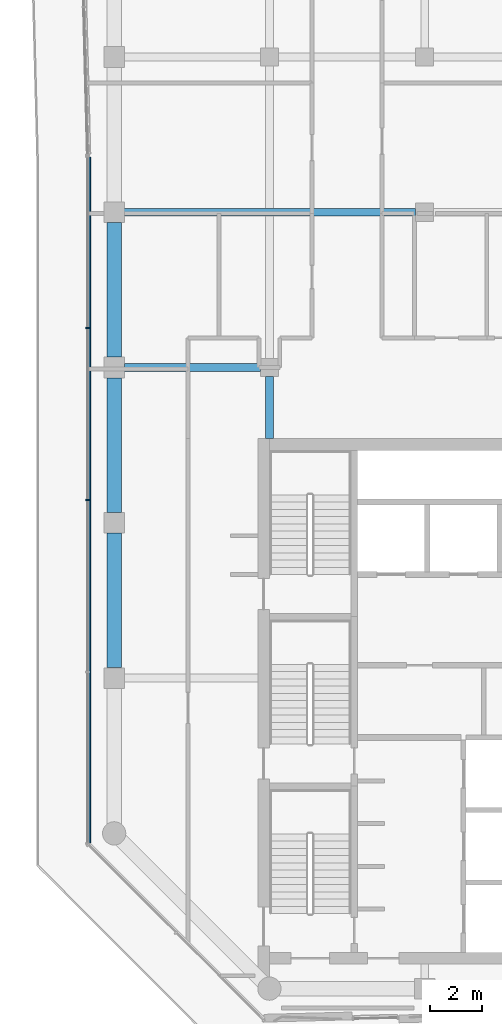
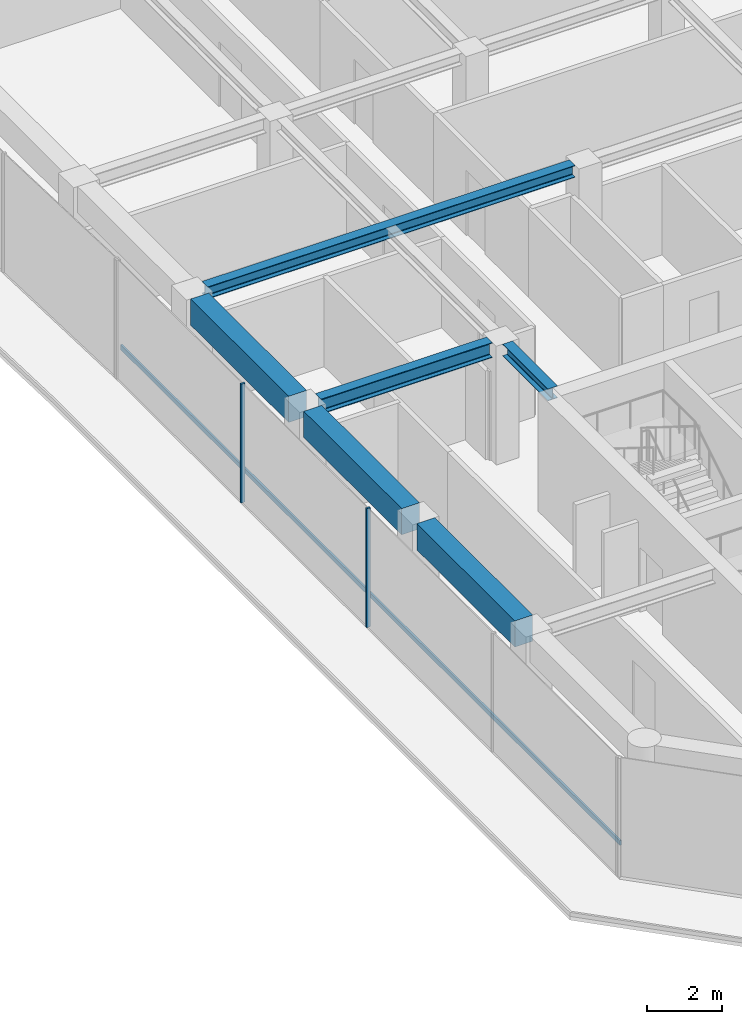
# One storey, part 4 of 20: 6 beams, 3 members, 1 element without a shape of its own.
"""IFC4 building model written with IfcOpenShell, lengths in metres."""

from ifc_helpers import new_model, si_unit, direction, frame, origin, origin_2d, place, context, subcontext, project, spatial, rectangle, i_section, extrude, material, layer, layer_set, material_profile, profile_set, type_object, element, aggregate, save


model = new_model("IFC4")

# Units and contexts
model_context = context("Model", 3, precision=1e-05, world=origin(), true_north=direction((0.0, 1.0)))
body_context = subcontext(model_context, "Body", "Model", "MODEL_VIEW")
ifc_project = project(units=[si_unit("LENGTHUNIT", "METRE"), si_unit("AREAUNIT", "SQUARE_METRE"), si_unit("VOLUMEUNIT", "CUBIC_METRE"), si_unit("PLANEANGLEUNIT", "RADIAN"), si_unit("MASSUNIT", "GRAM", prefix="KILO")], contexts=[model_context])

# Site, building, storey
site_placement = place(None, origin())
site = spatial("IfcSite", under=ifc_project, at=site_placement, CompositionType="ELEMENT")
building_placement = place(site_placement, origin())
building = spatial("IfcBuilding", under=site, at=building_placement, Name="Welwitschia Terrace Campus", CompositionType="ELEMENT")
storey_placement = place(building_placement, frame((0.0, 0.0, 222.199951171875)))
storey = spatial("IfcBuildingStorey", under=building, at=storey_placement, Name="L49", CompositionType="ELEMENT", Elevation=222.199951171875)

# Beams
ifc_material_1 = material(Name="Steel S355", Category="steel")
ifc_material_profile_1 = material_profile(ifc_material_1, i_section(OverallWidth=0.300048828125, OverallDepth=0.389892578125, WebThickness=0.010986328125, FlangeThickness=0.01904296875, FilletRadius=0.027099609375, at=origin_2d()))
ifc_profile_set_1 = profile_set([ifc_material_profile_1], Name="Steel S355")
beam_type_1 = type_object("IfcBeamType", Name="Interior girder HE 400 A", PredefinedType="BEAM", material=ifc_profile_set_1)
beam_1_placement = place(storey_placement, frame((0.390380859375, 34.0, 3.655029296875), z_axis=(1.0, 0.0, 0.0), x_axis=(0.0, 1.0, 0.0)))
element("IfcBeam", 1, at=beam_1_placement, inside=storey, type_object=beam_type_1, Name="Girder GB5", PredefinedType="BEAM", context=body_context, shape_type="SweptSolid", body=[
    extrude(i_section(OverallWidth=0.300048828125, OverallDepth=0.389892578125, WebThickness=0.010986328125, FlangeThickness=0.01904296875, FilletRadius=0.027099609375, at=origin_2d()), origin(), (0.0, 0.0, 1.0), 11.259033203125),
])
beam_2_placement = place(storey_placement, frame((6.0, 25.2509765625, 3.655029296875), z_axis=(0.0, 1.0, 0.0), x_axis=(-1.0, 0.0, 0.0)))
element("IfcBeam", 2, at=beam_2_placement, inside=storey, type_object=beam_type_1, Name="Girder GB5", PredefinedType="BEAM", context=body_context, shape_type="SweptSolid", body=[
    extrude(i_section(OverallWidth=0.300048828125, OverallDepth=0.389892578125, WebThickness=0.010986328125, FlangeThickness=0.01904296875, FilletRadius=0.027099609375, at=origin_2d()), origin(), (0.0, 0.0, 1.0), 2.3984375),
])

# Curtain wall, members
ifc_material_2 = material(Name="Bronze anodised aluminium", Category="aluminium")
ifc_layer = layer(ifc_material_2, 0.1201171875)
ifc_layer_set = layer_set([ifc_layer], Name="Bronze anodised aluminium")
curtain_wall_type = type_object("IfcCurtainWallType", Name="Curtain wall CW2 tower 6000", PredefinedType="NOTDEFINED", material=ifc_layer_set)
curtain_wall_placement = place(storey_placement, origin())
curtain_wall = element("IfcCurtainWall", 3, at=curtain_wall_placement, inside=storey, type_object=curtain_wall_type, Name="CW L49.0.0", PredefinedType="NOTDEFINED")
ifc_material_3 = material(Name="Bronze anodised aluminium", Category="aluminium")
ifc_material_profile_2 = material_profile(ifc_material_3, rectangle(XDim=0.1201171875, YDim=0.06005859375, at=origin_2d()))
ifc_profile_set_2 = profile_set([ifc_material_profile_2], Name="Bronze anodised aluminium")
member_type_1 = type_object("IfcMemberType", Name="Mullion 60x120", PredefinedType="MULLION", material=ifc_profile_set_2)
member_1_placement = place(storey_placement, frame((-1.030029296875, 29.537109375, 0.0), z_axis=(0.0, 0.0, 1.0), x_axis=(1.0, 0.0, 0.0)))
member_1 = element("IfcMember", 4, at=member_1_placement, type_object=member_type_1, Name="Mullion L49.0.0.1", PredefinedType="MULLION", context=body_context, shape_type="SweptSolid", body=[
    extrude(rectangle(XDim=0.1201171875, YDim=0.06005859375, at=origin_2d()), origin(), (0.0, 0.0, 1.0), 3.85009765625),
])
member_2_placement = place(storey_placement, frame((-1.030029296875, 22.882568359375, 0.0), z_axis=(0.0, 0.0, 1.0), x_axis=(1.0, 0.0, 0.0)))
member_2 = element("IfcMember", 5, at=member_2_placement, type_object=member_type_1, Name="Mullion L49.0.0.2", PredefinedType="MULLION", context=body_context, shape_type="SweptSolid", body=[
    extrude(rectangle(XDim=0.1201171875, YDim=0.06005859375, at=origin_2d()), origin(), (0.0, 0.0, 1.0), 3.85009765625),
])

# Beams
ifc_material_4 = material(Name="Steel S355", Category="steel")
ifc_material_profile_3 = material_profile(ifc_material_4, i_section(OverallWidth=0.300048828125, OverallDepth=0.489990234375, WebThickness=0.011962890625, FlangeThickness=0.02294921875, FilletRadius=0.027099609375, at=origin_2d()))
ifc_profile_set_3 = profile_set([ifc_material_profile_3], Name="Steel S355")
beam_type_2 = type_object("IfcBeamType", Name="Primary beam HE 500 A", PredefinedType="BEAM", material=ifc_profile_set_3)
beam_3_placement = place(storey_placement, frame((0.400390625, 28.0, 3.60498046875), z_axis=(1.0, 0.0, 0.0), x_axis=(0.0, 1.0, 0.0)))
element("IfcBeam", 6, at=beam_3_placement, inside=storey, type_object=beam_type_2, Name="Primary beam PB5", PredefinedType="BEAM", context=body_context, shape_type="SweptSolid", body=[
    extrude(i_section(OverallWidth=0.300048828125, OverallDepth=0.489990234375, WebThickness=0.011962890625, FlangeThickness=0.02294921875, FilletRadius=0.027099609375, at=origin_2d()), origin(), (0.0, 0.0, 1.0), 5.2490234375),
])
ifc_material_5 = material(Name="Concrete C50/60", Category="concrete")
ifc_material_profile_4 = material_profile(ifc_material_5, rectangle(XDim=0.550048828125, YDim=0.85009765625, at=origin_2d()))
ifc_profile_set_4 = profile_set([ifc_material_profile_4], Name="Concrete C50/60")
beam_type_3 = type_object("IfcBeamType", Name="Ring spandrel 550x850", PredefinedType="SPANDREL", material=ifc_profile_set_4)
for number, where, z_axis, x_axis, name in (
    (7, (0.0, 33.599609375, 3.425048828125), (0.0, -1.0, 0.0), (1.0, 0.0, 0.0), "Spandrel SP3"),
    (8, (0.0, 27.599609375, 3.425048828125), (0.0, -1.0, 0.0), (1.0, 0.0, 0.0), "Spandrel SP3"),
    (9, (0.0, 21.599609375, 3.425048828125), (0.0, -1.0, 0.0), (1.0, 0.0, 0.0), "Spandrel SP3"),
):
    element("IfcBeam", number, at=place(storey_placement, frame(where, z_axis=z_axis, x_axis=x_axis)), inside=storey, type_object=beam_type_3, Name=name, PredefinedType="SPANDREL", context=body_context, shape_type="SweptSolid", body=[
        extrude(rectangle(XDim=0.550048828125, YDim=0.85009765625, at=origin_2d()), origin(), (0.0, 0.0, 1.0), 5.19921875),
    ])

# Member
ifc_material_6 = material(Name="Bronze anodised aluminium", Category="aluminium")
ifc_material_profile_5 = material_profile(ifc_material_6, rectangle(XDim=0.06005859375, YDim=0.14990234375, at=origin_2d()))
ifc_profile_set_5 = profile_set([ifc_material_profile_5], Name="Bronze anodised aluminium")
member_type_2 = type_object("IfcMemberType", Name="Transom 60x150", PredefinedType="USERDEFINED", material=ifc_profile_set_5)
member_3_placement = place(storey_placement, frame((-0.93994140625, 36.131591796875, 1.0), z_axis=(0.0, -1.0, 0.0), x_axis=(1.0, 0.0, 0.0)))
member_3 = element("IfcMember", 10, at=member_3_placement, type_object=member_type_2, Name="Transom L49.0.0", ObjectType="TRANSOM", PredefinedType="USERDEFINED", context=body_context, shape_type="SweptSolid", body=[
    extrude(rectangle(XDim=0.06005859375, YDim=0.14990234375, at=origin_2d()), origin(), (0.0, 0.0, 1.0), 26.498291015625),
])

aggregate(curtain_wall, [member_1, member_2, member_3])

save(model, "model.ifc")
